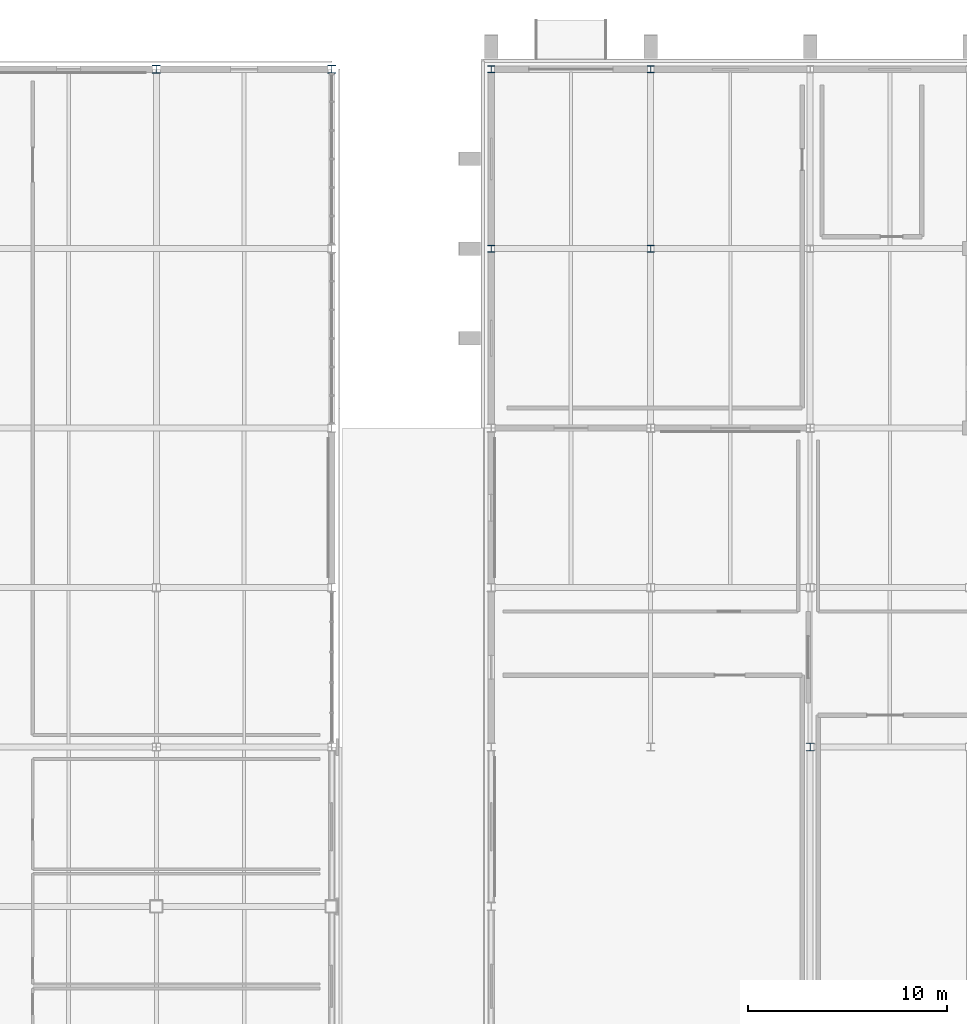
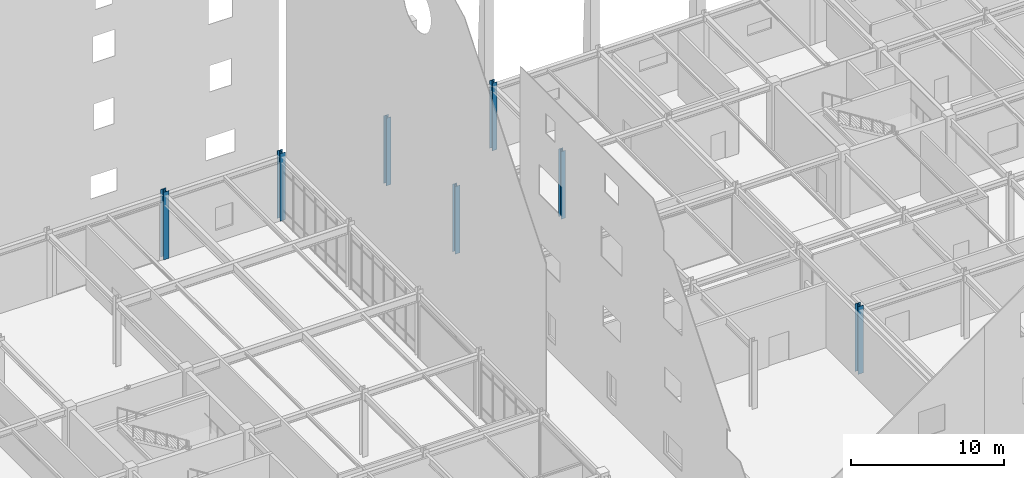
# One storey, part 13 of 119: 7 columns.
"""IFC4 building model written with IfcOpenShell, lengths in metres."""

import ifcopenshell
import ifcopenshell.guid

model = None  # the IFC model being written
_history = None  # IfcOwnerHistory: only IFC2X3 demands one
_inside = {}  # id of a spatial element -> (the spatial element, [elements in it])
_under = {}  # id of a project, library or spatial element -> (it, [spatial elements below it])
_declared = {}  # id of a project -> (the project, [libraries it declares])
_typed = {}  # id of a type object -> (the type object, [elements of that type])
_made_of = {}  # id of a material, layer set ... -> (it, [elements and type objects made of it])


def new_model(schema):
    """Start an empty IFC model of exactly this schema.

    Asked for "IFC4X3", IfcOpenShell would pick the latest addendum, in which some entities
    have other attributes; the version numbers below select the first issue.
    IFC2X3 requires an IfcOwnerHistory on every rooted entity: one is made here for all.
    """
    global model, _history
    if schema == "IFC4X3":
        model = ifcopenshell.file(schema_version=(4, 3, 0, 0))
    else:
        model = ifcopenshell.file(schema=schema)
    _inside.clear()
    _under.clear()
    _declared.clear()
    _typed.clear()
    _made_of.clear()
    _history = None
    if model.schema == "IFC2X3":
        org = make("IfcOrganization", Name="unknown")
        user = make(
            "IfcPersonAndOrganization",
            ThePerson=make("IfcPerson", FamilyName="unknown"),
            TheOrganization=org,
        )
        app = make(
            "IfcApplication",
            ApplicationDeveloper=org,
            Version="unknown",
            ApplicationFullName="unknown",
            ApplicationIdentifier="unknown",
        )
        _history = make(
            "IfcOwnerHistory",
            OwningUser=user,
            OwningApplication=app,
            ChangeAction="ADDED",
            CreationDate=0,
        )
    return model


def make(cls, **values):
    """One entity of the class cls with the attributes given. An attribute that is None is left unset."""
    return model.create_entity(
        cls, **{name: value for name, value in values.items() if value is not None}
    )


def rooted(cls, **values):
    """An entity with a GlobalId (a new one), such as an element, a storey or a relation."""
    return make(cls, GlobalId=ifcopenshell.guid.new(), OwnerHistory=_history, **values)


def si_unit(unit_type, name, prefix=None):
    """IfcSIUnit, for example si_unit("LENGTHUNIT", "METRE", prefix="MILLI")."""
    return make("IfcSIUnit", UnitType=unit_type, Prefix=prefix, Name=name)


def assignment(units):
    """IfcUnitAssignment: the units of a project."""
    return None if units is None else make("IfcUnitAssignment", Units=units)


def point(xyz):
    """IfcCartesianPoint."""
    return None if xyz is None else make("IfcCartesianPoint", Coordinates=xyz)


def direction(xyz):
    """IfcDirection."""
    return None if xyz is None else make("IfcDirection", DirectionRatios=xyz)


def frame(location, z_axis=None, x_axis=None):
    """IfcAxis2Placement3D, a coordinate frame: its origin and axes. An axis left out is left unset."""
    return make(
        "IfcAxis2Placement3D",
        Location=point(location),
        Axis=direction(z_axis),
        RefDirection=direction(x_axis),
    )


def frame_2d(location, x_axis=None):
    """IfcAxis2Placement2D, a coordinate frame in the plane: its origin and x axis."""
    return make(
        "IfcAxis2Placement2D", Location=point(location), RefDirection=direction(x_axis)
    )


def origin():
    """The frame at (0, 0, 0) with its axes left unset."""
    return frame((0.0, 0.0, 0.0))


def origin_2d():
    """The frame at (0, 0) in the plane with its x axis left unset."""
    return frame_2d((0.0, 0.0))


def place(relative_to, where):
    """IfcLocalPlacement: puts the frame where relative to a parent placement (None: the world)."""
    return make(
        "IfcLocalPlacement", PlacementRelTo=relative_to, RelativePlacement=where
    )


def context(
    kind, dimensions, precision=None, world=None, true_north=None, identifier=None
):
    """IfcGeometricRepresentationContext, for example the 3D "Model" context."""
    return make(
        "IfcGeometricRepresentationContext",
        ContextIdentifier=identifier,
        ContextType=kind,
        CoordinateSpaceDimension=dimensions,
        Precision=precision,
        WorldCoordinateSystem=world,
        TrueNorth=true_north,
    )


def subcontext(parent, identifier, kind, view, scale=None):
    """IfcGeometricRepresentationSubContext, for example "Body" below "Model"."""
    return make(
        "IfcGeometricRepresentationSubContext",
        ContextIdentifier=identifier,
        ContextType=kind,
        ParentContext=parent,
        TargetScale=scale,
        TargetView=view,
    )


def project(units=None, contexts=None):
    """IfcProject with its units and contexts."""
    return rooted(
        "IfcProject",
        Name="project",
        RepresentationContexts=contexts,
        UnitsInContext=assignment(units),
    )


def spatial(cls, under=None, at=None, **own):
    """A site, building, storey or space (cls), placed at a placement, below another one or the project."""
    s = rooted(cls, ObjectPlacement=at, **own)
    if under is not None:
        _under.setdefault(under.id(), (under, []))[1].append(s)
    return s


def profile(cls, at=None, kind="AREA", **sizes):
    """A parametric profile (cls). Its sizes go by their IFC names, for example OverallWidth=200.0."""
    return make(cls, ProfileType=kind, Position=at, **sizes)


def i_section(**sizes):
    """IfcIShapeProfileDef."""
    return profile("IfcIShapeProfileDef", **sizes)


def extrude(swept, where, along, depth):
    """IfcExtrudedAreaSolid: the profile swept, set in the frame where, extruded along a direction by depth."""
    return make(
        "IfcExtrudedAreaSolid",
        SweptArea=swept,
        Position=where,
        ExtrudedDirection=direction(along),
        Depth=depth,
    )


def shape(context_of_items, identifier, shape_type, items):
    """IfcShapeRepresentation: the items that make up one representation, for example the "Body"."""
    return make(
        "IfcShapeRepresentation",
        ContextOfItems=context_of_items,
        RepresentationIdentifier=identifier,
        RepresentationType=shape_type,
        Items=items,
    )


def material(Name=None, Category=None):
    """IfcMaterial."""
    return make("IfcMaterial", Name=Name, Category=Category)


def material_profile(
    of_material, cross_section, Name=None, Category=None, Priority=None
):
    """IfcMaterialProfile: a cross section and its material."""
    return make(
        "IfcMaterialProfile",
        Name=Name,
        Material=of_material,
        Profile=cross_section,
        Priority=Priority,
        Category=Category,
    )


def profile_set(profiles, Name=None, composite=None):
    """IfcMaterialProfileSet."""
    return make(
        "IfcMaterialProfileSet",
        Name=Name,
        MaterialProfiles=profiles,
        CompositeProfile=composite,
    )


def made_of(thing, what):
    """Note that an element or type object is made of a material, layer set ...; save() writes the relation."""
    if what is not None:
        _made_of.setdefault(what.id(), (what, []))[1].append(thing)
    return thing


def type_object(cls, material=None, **own):
    """A type object (cls), such as IfcWallType, which elements share."""
    return made_of(rooted(cls, **own), material)


def element(
    cls,
    number,
    at=None,
    inside=None,
    cuts=None,
    type_object=None,
    material=None,
    context=None,
    identifier="Body",
    shape_type=None,
    held_by="IfcProductDefinitionShape",
    body=None,
    shapes=None,
    **own,
):
    """One element of the class cls, such as IfcWall. Its Tag is "e" and its number.

    at: its placement. inside: the storey or other place that contains it. cuts: it is an
    opening in that element (IfcRelVoidsElement). A single representation is given by context,
    identifier, shape_type and body (its items); several are given by shapes. held_by: the class
    of the entity that holds the representations. save() writes the other relations.
    """
    e = rooted(cls, Tag="e%d" % number, ObjectPlacement=at, **own)
    if body is not None:
        shapes = [shape(context, identifier, shape_type, body)]
    if shapes is not None:
        e.Representation = make(held_by, Representations=shapes)
    if inside is not None:
        _inside.setdefault(inside.id(), (inside, []))[1].append(e)
    if cuts is not None:
        rooted(
            "IfcRelVoidsElement", RelatingBuildingElement=cuts, RelatedOpeningElement=e
        )
    if type_object is not None:
        _typed.setdefault(type_object.id(), (type_object, []))[1].append(e)
    return made_of(e, material)


def aggregate(whole, parts):
    """IfcRelAggregates: a whole, such as a stair, and the parts it consists of."""
    return rooted("IfcRelAggregates", RelatingObject=whole, RelatedObjects=parts)


def save(model, path):
    """Write the relations noted so far, then the file.

    IfcRelAggregates (storeys below a building ...), IfcRelContainedInSpatialStructure (elements
    in a storey), IfcRelDefinesByType, IfcRelAssociatesMaterial and IfcRelDeclares: one each for
    every whole, place, type object, material and project.
    """
    for whole, parts in _under.values():
        aggregate(whole, parts)
    for where, things in _inside.values():
        rooted(
            "IfcRelContainedInSpatialStructure",
            RelatedElements=things,
            RelatingStructure=where,
        )
    for kind, things in _typed.values():
        rooted("IfcRelDefinesByType", RelatedObjects=things, RelatingType=kind)
    for what, things in _made_of.values():
        rooted("IfcRelAssociatesMaterial", RelatedObjects=things, RelatingMaterial=what)
    for by, libraries in _declared.values():
        rooted("IfcRelDeclares", RelatingContext=by, RelatedDefinitions=libraries)
    model.write(path)


model = new_model("IFC4")

# Units and contexts
model_context = context("Model", 3, precision=1e-05, world=origin(), true_north=direction((0.0, 1.0)))
body_context = subcontext(model_context, "Body", "Model", "MODEL_VIEW")
ifc_project = project(units=[si_unit("LENGTHUNIT", "METRE"), si_unit("AREAUNIT", "SQUARE_METRE"), si_unit("VOLUMEUNIT", "CUBIC_METRE"), si_unit("PLANEANGLEUNIT", "RADIAN"), si_unit("MASSUNIT", "GRAM", prefix="KILO")], contexts=[model_context])

# Site, building, storey
site_placement = place(None, origin())
site = spatial("IfcSite", under=ifc_project, at=site_placement, CompositionType="ELEMENT")
building_placement = place(site_placement, origin())
building = spatial("IfcBuilding", under=site, at=building_placement, Name="Zhaolan Boulevard Law Courts", CompositionType="ELEMENT")
storey_placement = place(building_placement, origin())
storey = spatial("IfcBuildingStorey", under=building, at=storey_placement, Name="L00", CompositionType="ELEMENT", Elevation=0.0)

# Columns
ifc_material_1 = material(Name="Structural steel Q355B", Category="steel")
ifc_material_profile_1 = material_profile(ifc_material_1, i_section(OverallWidth=0.35009765625, OverallDepth=0.35009765625, WebThickness=0.011962890625, FlangeThickness=0.01904296875, FilletRadius=0.02001953125, at=origin_2d()), Name="HW350x350")
ifc_profile_set_1 = profile_set([ifc_material_profile_1], Name="Structural steel Q355B")
column_type_1 = type_object("IfcColumnType", Name="COL HW350", PredefinedType="COLUMN", material=ifc_profile_set_1)
for number, where, z_axis, x_axis, name in (
    (1, (52.0, 103.0, 0.0), (0.0, 0.0, 1.0), (1.0, 0.0, 0.0), "Column C-7P (L00)"),
    (2, (52.0, 112.0, 0.0), (0.0, 0.0, 1.0), (1.0, 0.0, 0.0), "Column C-7Q (L00)"),
    (3, (60.0, 103.0, 0.0), (0.0, 0.0, 1.0), (1.0, 0.0, 0.0), "Column C-8P (L00)"),
    (4, (60.0, 112.0, 0.0), (0.0, 0.0, 1.0), (1.0, 0.0, 0.0), "Column C-8Q (L00)"),
):
    element("IfcColumn", number, at=place(storey_placement, frame(where, z_axis=z_axis, x_axis=x_axis)), inside=storey, type_object=column_type_1, Name=name, PredefinedType="COLUMN", context=body_context, shape_type="SweptSolid", body=[
        extrude(i_section(OverallWidth=0.35009765625, OverallDepth=0.35009765625, WebThickness=0.011962890625, FlangeThickness=0.01904296875, FilletRadius=0.02001953125, at=origin_2d()), origin(), (0.0, 0.0, 1.0), 5.39990234375),
    ])
ifc_material_2 = material(Name="Structural steel Q390B", Category="steel")
ifc_material_profile_2 = material_profile(ifc_material_2, i_section(OverallWidth=0.39990234375, OverallDepth=0.39990234375, WebThickness=0.012939453125, FlangeThickness=0.02099609375, FilletRadius=0.02197265625, at=origin_2d()), Name="HW400x400")
ifc_profile_set_2 = profile_set([ifc_material_profile_2], Name="Structural steel Q390B")
column_type_2 = type_object("IfcColumnType", Name="COL HW400", PredefinedType="COLUMN", material=ifc_profile_set_2)
for number, where, z_axis, x_axis, name in (
    (5, (35.199951171875, 112.0, 0.0), (0.0, 0.0, 1.0), (1.0, 0.0, 0.0), "Column C-5Q (L00)"),
    (6, (44.0, 112.0, 0.0), (0.0, 0.0, 1.0), (1.0, 0.0, 0.0), "Column C-6Q (L00)"),
    (7, (68.0, 78.0, 0.0), (0.0, 0.0, 1.0), (1.0, 0.0, 0.0), "Column C-9L (L00)"),
):
    element("IfcColumn", number, at=place(storey_placement, frame(where, z_axis=z_axis, x_axis=x_axis)), inside=storey, type_object=column_type_2, Name=name, PredefinedType="COLUMN", context=body_context, shape_type="SweptSolid", body=[
        extrude(i_section(OverallWidth=0.39990234375, OverallDepth=0.39990234375, WebThickness=0.012939453125, FlangeThickness=0.02099609375, FilletRadius=0.02197265625, at=origin_2d()), origin(), (0.0, 0.0, 1.0), 5.39990234375),
    ])

save(model, "model.ifc")
